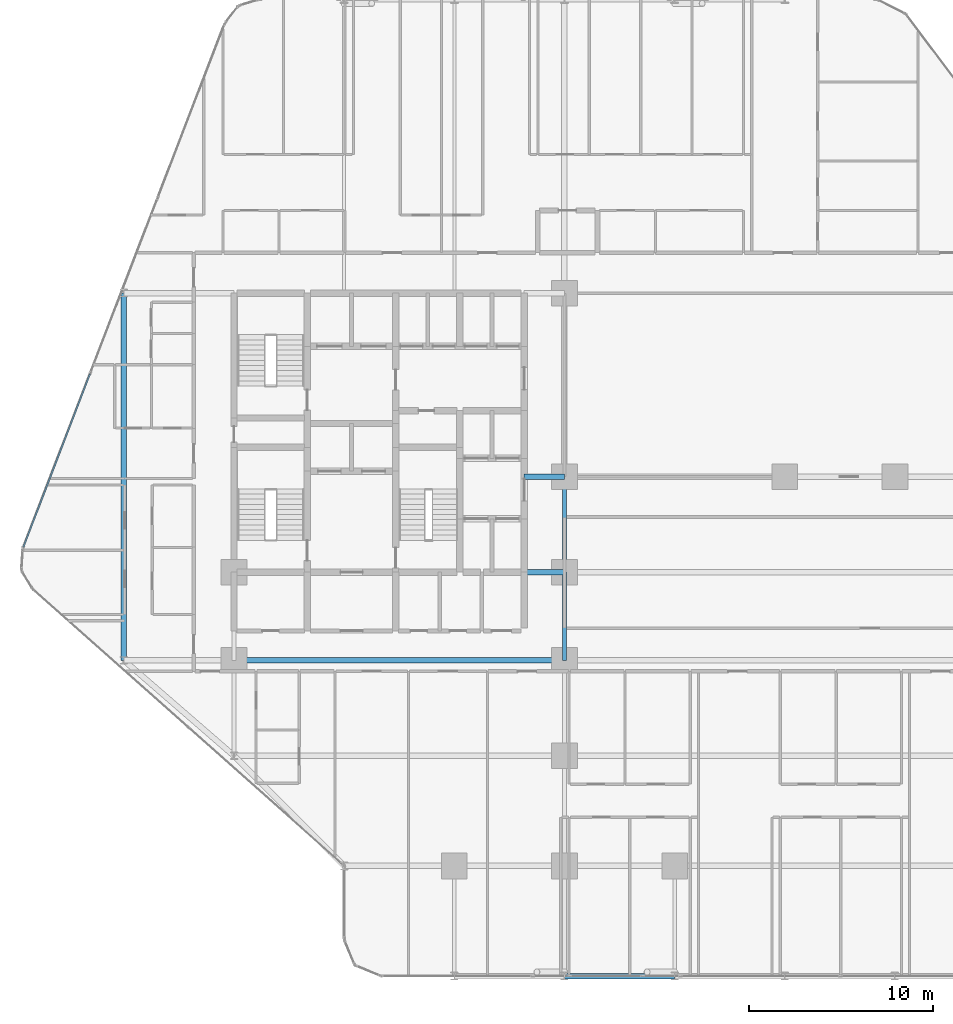
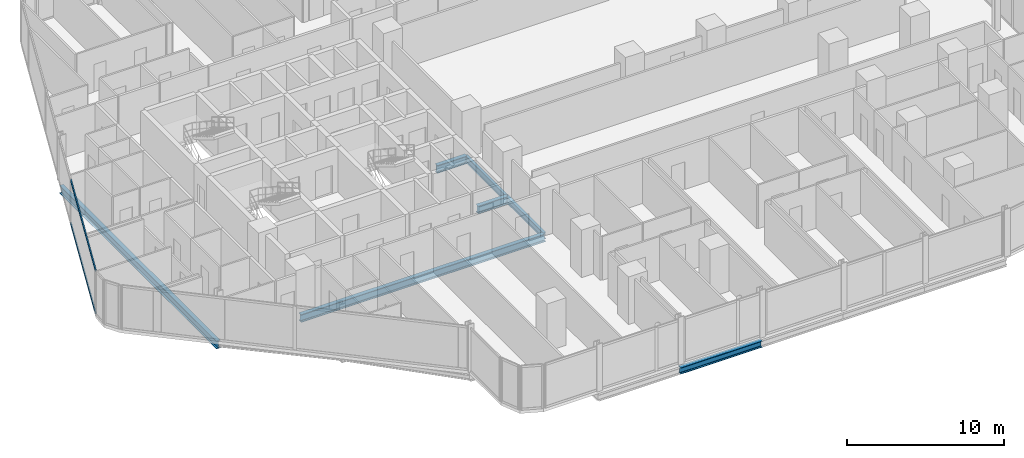
# One storey, part 6 of 33: 7 beams, 2 members, 1 element without a shape of its own.
"""IFC4 building model written with IfcOpenShell, lengths in metres."""

from ifc_helpers import new_model, si_unit, direction, frame, origin, origin_2d, place, context, subcontext, project, spatial, hollow_rectangle, i_section, extrude, material, layer, layer_set, material_profile, profile_set, type_object, element, aggregate, save


model = new_model("IFC4")

# Units and contexts
model_context = context("Model", 3, precision=1e-05, world=origin(), true_north=direction((0.0, 1.0)))
body_context = subcontext(model_context, "Body", "Model", "MODEL_VIEW")
ifc_project = project(units=[si_unit("LENGTHUNIT", "METRE"), si_unit("AREAUNIT", "SQUARE_METRE"), si_unit("VOLUMEUNIT", "CUBIC_METRE"), si_unit("PLANEANGLEUNIT", "RADIAN"), si_unit("MASSUNIT", "GRAM", prefix="KILO")], contexts=[model_context])

# Site, building, storey
site_placement = place(None, origin())
site = spatial("IfcSite", under=ifc_project, at=site_placement, CompositionType="ELEMENT")
building_placement = place(site_placement, origin())
building = spatial("IfcBuilding", under=site, at=building_placement, Name="Keshet Zoharim Tower", CompositionType="ELEMENT")
storey_placement = place(building_placement, frame((0.0, 0.0, 49.89990234375)))
storey = spatial("IfcBuildingStorey", under=building, at=storey_placement, Name="L11", CompositionType="ELEMENT", Elevation=49.89990234375)

# Beams
ifc_material_1 = material(Name="Steel S355", Category="steel")
ifc_material_profile_1 = material_profile(ifc_material_1, i_section(OverallWidth=0.300048828125, OverallDepth=0.60009765625, WebThickness=0.015380859375, FlangeThickness=0.030029296875, FilletRadius=0.027099609375, at=origin_2d()), Name="HEB600")
ifc_profile_set_1 = profile_set([ifc_material_profile_1], Name="Steel S355")
beam_type_1 = type_object("IfcBeamType", Name="BM-CLK-HB600", PredefinedType="BEAM", material=ifc_profile_set_1)
for number, where, z_axis, x_axis, name in (
    (1, (30.800048828125, 22.699951171875, -0.614990234375), (1.0, 0.0, 0.0), (0.0, 1.0, 0.0), "L11 Core Wall Link Girder 01"),
    (2, (30.800048828125, 27.89990234375, -0.614990234375), (1.0, 0.0, 0.0), (0.0, 1.0, 0.0), "L11 Core Wall Link Girder 02"),
):
    element("IfcBeam", number, at=place(storey_placement, frame(where, z_axis=z_axis, x_axis=x_axis)), inside=storey, type_object=beam_type_1, Name=name, PredefinedType="BEAM", context=body_context, shape_type="SweptSolid", body=[
        extrude(i_section(OverallWidth=0.300048828125, OverallDepth=0.60009765625, WebThickness=0.015380859375, FlangeThickness=0.030029296875, FilletRadius=0.027099609375, at=origin_2d()), origin(), (0.0, 0.0, 1.0), 2.199951171875),
    ])
ifc_material_profile_2 = material_profile(ifc_material_1, i_section(OverallWidth=0.300048828125, OverallDepth=0.60009765625, WebThickness=0.015380859375, FlangeThickness=0.030029296875, FilletRadius=0.027099609375, at=origin_2d()), Name="HEB600")
ifc_profile_set_2 = profile_set([ifc_material_profile_2], Name="Steel S355")
beam_type_2 = type_object("IfcBeamType", Name="BM-LNG-HB600", PredefinedType="BEAM", material=ifc_profile_set_2)
beam_1_placement = place(storey_placement, frame((15.0, 17.89990234375, -0.614990234375), z_axis=(1.0, 0.0, 0.0), x_axis=(0.0, 1.0, 0.0)))
element("IfcBeam", 3, at=beam_1_placement, inside=storey, type_object=beam_type_2, Name="L11 Primary Girder X-016", PredefinedType="BEAM", context=body_context, shape_type="SweptSolid", body=[
    extrude(i_section(OverallWidth=0.300048828125, OverallDepth=0.60009765625, WebThickness=0.015380859375, FlangeThickness=0.030029296875, FilletRadius=0.027099609375, at=origin_2d()), origin(), (0.0, 0.0, 1.0), 18.0),
])
beam_2_placement = place(storey_placement, frame((9.0, 17.89990234375, -0.614990234375), z_axis=(0.0, 1.0, 0.0), x_axis=(-1.0, 0.0, 0.0)))
element("IfcBeam", 4, at=beam_2_placement, inside=storey, type_object=beam_type_2, Name="L11 Primary Girder Y-001", PredefinedType="BEAM", context=body_context, shape_type="SweptSolid", body=[
    extrude(i_section(OverallWidth=0.300048828125, OverallDepth=0.60009765625, WebThickness=0.015380859375, FlangeThickness=0.030029296875, FilletRadius=0.027099609375, at=origin_2d()), origin(), (0.0, 0.0, 1.0), 20.0),
])
ifc_material_profile_3 = material_profile(ifc_material_1, i_section(OverallWidth=0.199951171875, OverallDepth=0.5, WebThickness=0.01025390625, FlangeThickness=0.01611328125, FilletRadius=0.02099609375, at=origin_2d()), Name="IPE500")
ifc_profile_set_3 = profile_set([ifc_material_profile_3], Name="Steel S355")
beam_type_3 = type_object("IfcBeamType", Name="BM-PRI-IP500", PredefinedType="BEAM", material=ifc_profile_set_3)
beam_3_placement = place(storey_placement, frame((33.0, 17.89990234375, -0.56494140625), z_axis=(0.0, 1.0, 0.0), x_axis=(-1.0, 0.0, 0.0)))
element("IfcBeam", 5, at=beam_3_placement, inside=storey, type_object=beam_type_3, Name="L11 Primary Girder Y-008", PredefinedType="BEAM", context=body_context, shape_type="SweptSolid", body=[
    extrude(i_section(OverallWidth=0.199951171875, OverallDepth=0.5, WebThickness=0.01025390625, FlangeThickness=0.01611328125, FilletRadius=0.02099609375, at=origin_2d()), origin(), (0.0, 0.0, 1.0), 4.800048828125),
])
beam_4_placement = place(storey_placement, frame((33.0, 22.699951171875, -0.56494140625), z_axis=(0.0, 1.0, 0.0), x_axis=(-1.0, 0.0, 0.0)))
element("IfcBeam", 6, at=beam_4_placement, inside=storey, type_object=beam_type_3, Name="L11 Primary Girder Y-009", PredefinedType="BEAM", context=body_context, shape_type="SweptSolid", body=[
    extrude(i_section(OverallWidth=0.199951171875, OverallDepth=0.5, WebThickness=0.01025390625, FlangeThickness=0.01611328125, FilletRadius=0.02099609375, at=origin_2d()), origin(), (0.0, 0.0, 1.0), 5.199951171875),
])
ifc_material_profile_4 = material_profile(ifc_material_1, i_section(OverallWidth=0.300048828125, OverallDepth=0.5, WebThickness=0.014404296875, FlangeThickness=0.028076171875, FilletRadius=0.027099609375, at=origin_2d()), Name="HEB500")
ifc_profile_set_4 = profile_set([ifc_material_profile_4], Name="Steel S355")
beam_type_4 = type_object("IfcBeamType", Name="BM-WEB-HB500", PredefinedType="BEAM", material=ifc_profile_set_4)
beam_5_placement = place(storey_placement, frame((33.0, 0.699951171875, -0.56494140625), z_axis=(1.0, 0.0, 0.0), x_axis=(0.0, 1.0, 0.0)))
element("IfcBeam", 7, at=beam_5_placement, inside=storey, type_object=beam_type_4, Name="L11 Primary Girder X-002", PredefinedType="BEAM", context=body_context, shape_type="SweptSolid", body=[
    extrude(i_section(OverallWidth=0.300048828125, OverallDepth=0.5, WebThickness=0.014404296875, FlangeThickness=0.028076171875, FilletRadius=0.027099609375, at=origin_2d()), origin(), (0.0, 0.0, 1.0), 6.0),
])

# Curtain wall, members
ifc_material_2 = material(Name="Aluminium 6063-T6", Category="aluminium")
ifc_layer = layer(ifc_material_2, 0.179931640625)
ifc_layer_set = layer_set([ifc_layer], Name="Aluminium 6063-T6")
curtain_wall_type = type_object("IfcCurtainWallType", Name="CW-SYS-01", PredefinedType="NOTDEFINED", material=ifc_layer_set)
curtain_wall_placement = place(storey_placement, origin())
curtain_wall = element("IfcCurtainWall", 8, at=curtain_wall_placement, inside=storey, type_object=curtain_wall_type, Name="L11 Unitised Curtain Wall 04", PredefinedType="NOTDEFINED")
ifc_material_profile_5 = material_profile(ifc_material_2, hollow_rectangle(XDim=0.0849609375, YDim=0.159912109375, WallThickness=0.00439453125, at=origin_2d()), Name="TRN-85x160")
ifc_profile_set_5 = profile_set([ifc_material_profile_5], Name="Aluminium 6063-T6")
member_type = type_object("IfcMemberType", Name="CWT-T16", PredefinedType="USERDEFINED", material=ifc_profile_set_5)
member_1_placement = place(storey_placement, frame((3.522216796875, 24.058349609375, 0.03515625), z_axis=(0.358993631387, 0.93334000912, 0.0), x_axis=(-0.93334000912, 0.358993631387, 0.0)))
member_1 = element("IfcMember", 9, at=member_1_placement, type_object=member_type, Name="CW-01 transom 1.1", ObjectType="TRANSOM", PredefinedType="USERDEFINED", context=body_context, shape_type="SweptSolid", body=[
    extrude(hollow_rectangle(XDim=0.0849609375, YDim=0.159912109375, WallThickness=0.00439453125, at=origin_2d()), origin(), (0.0, 0.0, 1.0), 10.1181640625),
])
member_2_placement = place(storey_placement, frame((3.522216796875, 24.058349609375, 3.35009765625), z_axis=(0.358993631387, 0.93334000912, 0.0), x_axis=(-0.93334000912, 0.358993631387, 0.0)))
member_2 = element("IfcMember", 10, at=member_2_placement, type_object=member_type, Name="CW-01 transom 1.2", ObjectType="TRANSOM", PredefinedType="USERDEFINED", context=body_context, shape_type="SweptSolid", body=[
    extrude(hollow_rectangle(XDim=0.0849609375, YDim=0.159912109375, WallThickness=0.00439453125, at=origin_2d()), origin(), (0.0, 0.0, 1.0), 10.1181640625),
])
aggregate(curtain_wall, [member_1, member_2])

save(model, "model.ifc")
